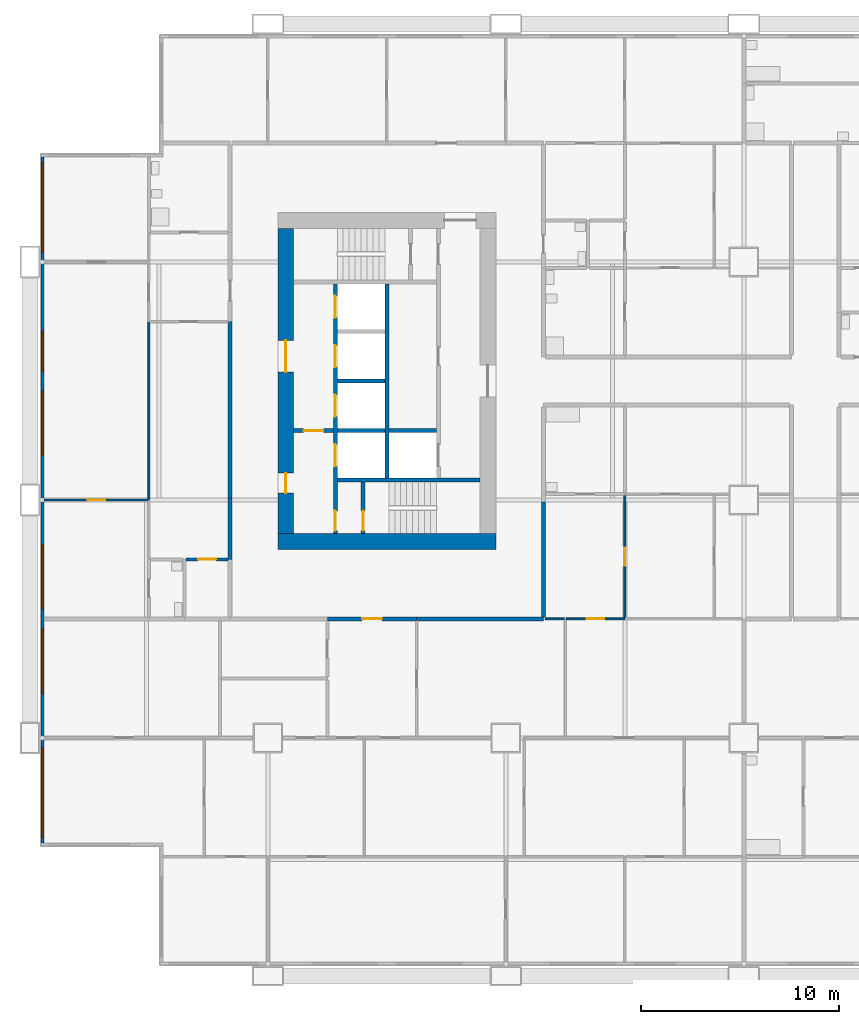
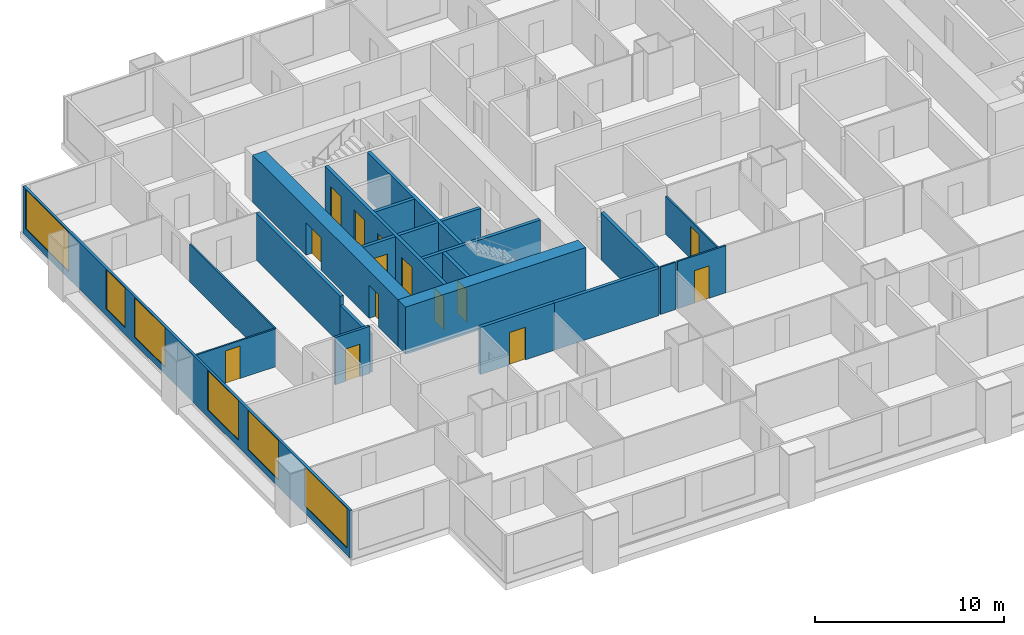
# One storey, part 3 of 13: 22 walls, 14 doors, 6 windows, 20 openings.
"""IFC4 building model written with IfcOpenShell, lengths in metres."""

from ifc_helpers import new_model, si_unit, direction, frame, frame_2d, origin, place, context, subcontext, project, spatial, rectangle, extrude, material, layer, layer_set, type_object, element, fill, save


model = new_model("IFC4")

# Units and contexts
model_context = context("Model", 3, precision=1e-05, world=origin(), true_north=direction((0.0, 1.0)))
body_context = subcontext(model_context, "Body", "Model", "MODEL_VIEW")
ifc_project = project(units=[si_unit("LENGTHUNIT", "METRE"), si_unit("AREAUNIT", "SQUARE_METRE"), si_unit("VOLUMEUNIT", "CUBIC_METRE"), si_unit("PLANEANGLEUNIT", "RADIAN"), si_unit("MASSUNIT", "GRAM", prefix="KILO")], contexts=[model_context])

# Site, building, storey
site_placement = place(None, origin())
site = spatial("IfcSite", under=ifc_project, at=site_placement, CompositionType="ELEMENT")
building_placement = place(site_placement, origin())
building = spatial("IfcBuilding", under=site, at=building_placement, Name="Kitamizu Gate Tower and Museum", CompositionType="ELEMENT")
storey_placement = place(building_placement, frame((0.0, 0.0, 88.64990234375)))
storey = spatial("IfcBuildingStorey", under=building, at=storey_placement, Name="L22", CompositionType="ELEMENT", Elevation=88.64990234375)

# Wall
ifc_material_1 = material(Name="Concrete Fc60", Category="concrete")
ifc_layer_1 = layer(ifc_material_1, 0.800048828125)
ifc_layer_set_1 = layer_set([ifc_layer_1], Name="Concrete Fc60")
wall_type_1 = type_object("IfcWallType", Name="Core wall 800", PredefinedType="SHEAR", material=ifc_layer_set_1)
wall_1_placement = place(storey_placement, frame((12.5, 21.89990234375, 0.0), z_axis=(0.0, 0.0, 1.0), x_axis=(1.0, 0.0, 0.0)))
element("IfcWall", 1, at=wall_1_placement, inside=storey, type_object=wall_type_1, Name="Core wall WS", PredefinedType="SHEAR", context=body_context, shape_type="SweptSolid", body=[
    extrude(rectangle(XDim=11.0, YDim=0.800048828125, at=frame_2d((5.5, 0.0))), origin(), (0.0, 0.0, 1.0), 3.050048828125),
])

# Wall, openings, doors
wall_2_placement = place(storey_placement, frame((12.89990234375, 22.300048828125, 0.0), z_axis=(0.0, 0.0, 1.0), x_axis=(0.0, 1.0, 0.0)))
wall_2 = element("IfcWall", 2, at=wall_2_placement, inside=storey, type_object=wall_type_1, Name="Core wall WOUT", PredefinedType="SHEAR", context=body_context, shape_type="SweptSolid", body=[
    extrude(rectangle(XDim=15.39990234375, YDim=0.800048828125, at=frame_2d((7.699951171875, 0.0))), origin(), (0.0, 0.0, 1.0), 3.050048828125),
])
opening_1_placement = place(wall_2_placement, frame((8.14990234375, 0.0, 0.0)))
opening_1 = element("IfcOpeningElement", 3, at=opening_1_placement, cuts=wall_2, Name="Opening L22-081", PredefinedType="OPENING", context=body_context, shape_type="SweptSolid", body=[
    extrude(rectangle(XDim=1.60009765625, YDim=2.10009765625, at=frame_2d((0.800048828125, 1.050048828125))), frame((0.0, 0.41015625, 0.0), z_axis=(0.0, -1.0, 0.0), x_axis=(1.0, 0.0, 0.0)), (0.0, 0.0, 1.0), 0.820068359375),
])
opening_2_placement = place(wall_2_placement, frame((2.050048828125, 0.0, 0.0)))
opening_2 = element("IfcOpeningElement", 4, at=opening_2_placement, cuts=wall_2, Name="Opening L22-082", PredefinedType="OPENING", context=body_context, shape_type="SweptSolid", body=[
    extrude(rectangle(XDim=1.0, YDim=2.10009765625, at=frame_2d((0.5, 1.050048828125))), frame((0.0, 0.41015625, 0.0), z_axis=(0.0, -1.0, 0.0), x_axis=(1.0, 0.0, 0.0)), (0.0, 0.0, 1.0), 0.820068359375),
])
ifc_material_2 = material(Name="Timber door set", Category="wood")
door_type_1 = type_object("IfcDoorType", Name="Entrance door 1600", OperationType="DOUBLE_DOOR_SINGLE_SWING", PredefinedType="DOOR", material=ifc_material_2)
door_1_placement = place(opening_1_placement, origin())
door_1 = element("IfcDoor", 5, at=door_1_placement, inside=storey, type_object=door_type_1, Name="Lobby door L22-081", OperationType="DOUBLE_DOOR_SINGLE_SWING", OverallHeight=2.10009765625, OverallWidth=1.60009765625, PredefinedType="DOOR", context=body_context, shape_type="SweptSolid", body=[
    extrude(rectangle(XDim=1.60009765625, YDim=2.10009765625, at=frame_2d((0.800048828125, 1.050048828125))), frame((0.0, 0.02490234375, 0.0), z_axis=(0.0, -1.0, 0.0), x_axis=(1.0, 0.0, 0.0)), (0.0, 0.0, 1.0), 0.050048828125),
])
fill(opening_1, door_1)
ifc_material_3 = material(Name="Hollow metal door set")
door_type_2 = type_object("IfcDoorType", Name="Fire door 1000", OperationType="NOTDEFINED", PredefinedType="DOOR", material=ifc_material_3)
door_2_placement = place(opening_2_placement, frame((1.0, 0.0, 0.0), x_axis=(-1.0, 0.0, 0.0)))
door_2 = element("IfcDoor", 6, at=door_2_placement, inside=storey, type_object=door_type_2, Name="Fire-fighting lobby door L22-082", OperationType="SINGLE_SWING_RIGHT", OverallHeight=2.10009765625, OverallWidth=1.0, PredefinedType="DOOR", context=body_context, shape_type="SweptSolid", body=[
    extrude(rectangle(XDim=1.0, YDim=2.10009765625, at=frame_2d((0.5, 1.050048828125))), frame((0.0, 0.02490234375, 0.0), z_axis=(0.0, -1.0, 0.0), x_axis=(1.0, 0.0, 0.0)), (0.0, 0.0, 1.0), 0.050048828125),
])
fill(opening_2, door_2)

# Wall
ifc_material_4 = material(Name="Gypsum board on galvanised stud")
ifc_layer_2 = layer(ifc_material_4, 0.10009765625)
ifc_layer_set_2 = layer_set([ifc_layer_2], Name="Gypsum board on galvanised stud")
wall_type_2 = type_object("IfcWallType", Name="Partition 100 NOT RATED", PredefinedType="PARTITIONING", material=ifc_layer_set_2)
wall_3_placement = place(storey_placement, frame((26.949951171875, 18.0, 0.0), z_axis=(0.0, 0.0, 1.0), x_axis=(-1.0, 0.0, 0.0)))
element("IfcWall", 7, at=wall_3_placement, inside=storey, type_object=wall_type_2, Name="Partition L22-041", PredefinedType="PARTITIONING", context=body_context, shape_type="SweptSolid", body=[
    extrude(rectangle(XDim=0.949951171875, YDim=0.10009765625, at=frame_2d((0.47509765625, 0.0))), origin(), (0.0, 0.0, 1.0), 3.050048828125),
])

# Wall, opening, door
wall_4_placement = place(storey_placement, frame((30.0, 18.0, 0.0), z_axis=(0.0, 0.0, 1.0), x_axis=(-1.0, 0.0, 0.0)))
wall_4 = element("IfcWall", 8, at=wall_4_placement, inside=storey, type_object=wall_type_2, Name="Partition L22-043", PredefinedType="PARTITIONING", context=body_context, shape_type="SweptSolid", body=[
    extrude(rectangle(XDim=2.949951171875, YDim=0.10009765625, at=frame_2d((1.47509765625, 0.0))), origin(), (0.0, 0.0, 1.0), 3.050048828125),
])
opening_3_placement = place(wall_4_placement, frame((1.02490234375, 0.0, 0.0)))
opening_3 = element("IfcOpeningElement", 9, at=opening_3_placement, cuts=wall_4, Name="Opening L22-016", PredefinedType="OPENING", context=body_context, shape_type="SweptSolid", body=[
    extrude(rectangle(XDim=0.89990234375, YDim=2.10009765625, at=frame_2d((0.449951171875, 1.050048828125))), frame((0.0, 0.06005859375, 0.0), z_axis=(0.0, -1.0, 0.0), x_axis=(1.0, 0.0, 0.0)), (0.0, 0.0, 1.0), 0.1201171875),
])
ifc_material_5 = material(Name="Timber door set", Category="wood")
door_type_3 = type_object("IfcDoorType", Name="Room door 900", OperationType="NOTDEFINED", PredefinedType="DOOR", material=ifc_material_5)
door_3_placement = place(opening_3_placement, frame((0.89990234375, 0.0, 0.0), x_axis=(-1.0, 0.0, 0.0)))
door_3 = element("IfcDoor", 10, at=door_3_placement, inside=storey, type_object=door_type_3, Name="Door L22-016", OperationType="SINGLE_SWING_LEFT", OverallHeight=2.10009765625, OverallWidth=0.89990234375, PredefinedType="DOOR", context=body_context, shape_type="SweptSolid", body=[
    extrude(rectangle(XDim=0.89990234375, YDim=2.10009765625, at=frame_2d((0.449951171875, 1.050048828125))), frame((0.0, 0.02490234375, 0.0), z_axis=(0.0, -1.0, 0.0), x_axis=(1.0, 0.0, 0.0)), (0.0, 0.0, 1.0), 0.050048828125),
])
fill(opening_3, door_3)

wall_5_placement = place(storey_placement, frame((30.0, 18.050048828125, 0.0), z_axis=(0.0, 0.0, 1.0), x_axis=(0.0, 1.0, 0.0)))
wall_5 = element("IfcWall", 11, at=wall_5_placement, inside=storey, type_object=wall_type_2, Name="Partition L22-047", PredefinedType="PARTITIONING", context=body_context, shape_type="SweptSolid", body=[
    extrude(rectangle(XDim=6.175048828125, YDim=0.10009765625, at=frame_2d((3.08740234375, 0.0))), origin(), (0.0, 0.0, 1.0), 2.4501953125),
])
opening_4_placement = place(wall_5_placement, frame((2.637451171875, 0.0, 0.0)))
opening_4 = element("IfcOpeningElement", 12, at=opening_4_placement, cuts=wall_5, Name="Opening L22-017", PredefinedType="OPENING", context=body_context, shape_type="SweptSolid", body=[
    extrude(rectangle(XDim=0.89990234375, YDim=2.10009765625, at=frame_2d((0.449951171875, 1.050048828125))), frame((0.0, 0.06005859375, 0.0), z_axis=(0.0, -1.0, 0.0), x_axis=(1.0, 0.0, 0.0)), (0.0, 0.0, 1.0), 0.1201171875),
])
door_4_placement = place(opening_4_placement, origin())
door_4 = element("IfcDoor", 13, at=door_4_placement, inside=storey, type_object=door_type_3, Name="Door L22-017", OperationType="SINGLE_SWING_LEFT", OverallHeight=2.10009765625, OverallWidth=0.89990234375, PredefinedType="DOOR", context=body_context, shape_type="SweptSolid", body=[
    extrude(rectangle(XDim=0.89990234375, YDim=2.10009765625, at=frame_2d((0.449951171875, 1.050048828125))), frame((0.0, 0.02490234375, 0.0), z_axis=(0.0, -1.0, 0.0), x_axis=(1.0, 0.0, 0.0)), (0.0, 0.0, 1.0), 0.050048828125),
])
fill(opening_4, door_4)

wall_6_placement = place(storey_placement, frame((6.0, 24.0, 0.0), z_axis=(0.0, 0.0, 1.0), x_axis=(-1.0, 0.0, 0.0)))
wall_6 = element("IfcWall", 14, at=wall_6_placement, inside=storey, type_object=wall_type_2, Name="Partition L22-063", PredefinedType="PARTITIONING", context=body_context, shape_type="SweptSolid", body=[
    extrude(rectangle(XDim=5.280029296875, YDim=0.10009765625, at=frame_2d((2.64013671875, 0.0))), origin(), (0.0, 0.0, 1.0), 2.4501953125),
])
opening_5_placement = place(wall_6_placement, frame((2.18994140625, 0.0, 0.0)))
opening_5 = element("IfcOpeningElement", 15, at=opening_5_placement, cuts=wall_6, Name="Opening L22-024", PredefinedType="OPENING", context=body_context, shape_type="SweptSolid", body=[
    extrude(rectangle(XDim=0.89990234375, YDim=2.10009765625, at=frame_2d((0.449951171875, 1.050048828125))), frame((0.0, 0.06005859375, 0.0), z_axis=(0.0, -1.0, 0.0), x_axis=(1.0, 0.0, 0.0)), (0.0, 0.0, 1.0), 0.1201171875),
])
door_5_placement = place(opening_5_placement, origin())
door_5 = element("IfcDoor", 16, at=door_5_placement, inside=storey, type_object=door_type_3, Name="Door L22-024", OperationType="SINGLE_SWING_RIGHT", OverallHeight=2.10009765625, OverallWidth=0.89990234375, PredefinedType="DOOR", context=body_context, shape_type="SweptSolid", body=[
    extrude(rectangle(XDim=0.89990234375, YDim=2.10009765625, at=frame_2d((0.449951171875, 1.050048828125))), frame((0.0, 0.02490234375, 0.0), z_axis=(0.0, -1.0, 0.0), x_axis=(1.0, 0.0, 0.0)), (0.0, 0.0, 1.0), 0.050048828125),
])
fill(opening_5, door_5)

# Wall
wall_7_placement = place(storey_placement, frame((6.0, 24.050048828125, 0.0), z_axis=(0.0, 0.0, 1.0), x_axis=(0.0, 1.0, 0.0)))
element("IfcWall", 17, at=wall_7_placement, inside=storey, type_object=wall_type_2, Name="Partition L22-067", PredefinedType="PARTITIONING", context=body_context, shape_type="SweptSolid", body=[
    extrude(rectangle(XDim=8.949951171875, YDim=0.10009765625, at=frame_2d((4.47509765625, 0.0))), origin(), (0.0, 0.0, 1.0), 2.4501953125),
])

# Wall, opening, door
ifc_material_6 = material(Name="Gypsum board on galvanised stud")
ifc_layer_3 = layer(ifc_material_6, 0.14990234375)
ifc_layer_set_3 = layer_set([ifc_layer_3], Name="Gypsum board on galvanised stud")
wall_type_3 = type_object("IfcWallType", Name="Partition 150", PredefinedType="PARTITIONING", material=ifc_layer_set_3)
wall_8_placement = place(storey_placement, frame((10.0, 21.0, 0.0), z_axis=(0.0, 0.0, 1.0), x_axis=(-1.0, 0.0, 0.0)))
wall_8 = element("IfcWall", 18, at=wall_8_placement, inside=storey, type_object=wall_type_3, Name="Partition L22-073", PredefinedType="PARTITIONING", context=body_context, shape_type="SweptSolid", body=[
    extrude(rectangle(XDim=2.125, YDim=0.14990234375, at=frame_2d((1.0625, 0.0))), origin(), (0.0, 0.0, 1.0), 3.050048828125),
])
opening_6_placement = place(wall_8_placement, frame((0.612548828125, 0.0, 0.0)))
opening_6 = element("IfcOpeningElement", 19, at=opening_6_placement, cuts=wall_8, Name="Opening L22-028", PredefinedType="OPENING", context=body_context, shape_type="SweptSolid", body=[
    extrude(rectangle(XDim=0.89990234375, YDim=2.10009765625, at=frame_2d((0.449951171875, 1.050048828125))), frame((0.0, 0.0849609375, 0.0), z_axis=(0.0, -1.0, 0.0), x_axis=(1.0, 0.0, 0.0)), (0.0, 0.0, 1.0), 0.169921875),
])
ifc_material_7 = material(Name="Timber door set", Category="wood")
door_type_4 = type_object("IfcDoorType", Name="Bathroom door 900", OperationType="NOTDEFINED", PredefinedType="DOOR", material=ifc_material_7)
door_6_placement = place(opening_6_placement, origin())
door_6 = element("IfcDoor", 20, at=door_6_placement, inside=storey, type_object=door_type_4, Name="Bathroom door L22-028", OperationType="SINGLE_SWING_RIGHT", OverallHeight=2.10009765625, OverallWidth=0.89990234375, PredefinedType="DOOR", context=body_context, shape_type="SweptSolid", body=[
    extrude(rectangle(XDim=0.89990234375, YDim=2.10009765625, at=frame_2d((0.449951171875, 1.050048828125))), frame((0.0, 0.02490234375, 0.0), z_axis=(0.0, -1.0, 0.0), x_axis=(1.0, 0.0, 0.0)), (0.0, 0.0, 1.0), 0.050048828125),
])
fill(opening_6, door_6)

ifc_material_8 = material(Name="Gypsum board on galvanised stud")
ifc_layer_4 = layer(ifc_material_8, 0.199951171875)
ifc_layer_set_4 = layer_set([ifc_layer_4], Name="Gypsum board on galvanised stud")
wall_type_4 = type_object("IfcWallType", Name="Partition 200", PredefinedType="PARTITIONING", material=ifc_layer_set_4)
wall_9_placement = place(storey_placement, frame((19.5, 18.0, 0.0), z_axis=(0.0, 0.0, 1.0), x_axis=(-1.0, 0.0, 0.0)))
wall_9 = element("IfcWall", 21, at=wall_9_placement, inside=storey, type_object=wall_type_4, Name="Partition L22-039", PredefinedType="PARTITIONING", context=body_context, shape_type="SweptSolid", body=[
    extrude(rectangle(XDim=4.5, YDim=0.199951171875, at=frame_2d((2.25, 0.0))), origin(), (0.0, 0.0, 1.0), 3.050048828125),
])
opening_7_placement = place(wall_9_placement, frame((1.75, 0.0, 0.0)))
opening_7 = element("IfcOpeningElement", 22, at=opening_7_placement, cuts=wall_9, Name="Opening L22-001", PredefinedType="OPENING", context=body_context, shape_type="SweptSolid", body=[
    extrude(rectangle(XDim=1.0, YDim=2.10009765625, at=frame_2d((0.5, 1.050048828125))), frame((0.0, 0.10986328125, 0.0), z_axis=(0.0, -1.0, 0.0), x_axis=(1.0, 0.0, 0.0)), (0.0, 0.0, 1.0), 0.219970703125),
])
ifc_material_9 = material(Name="Timber door set", Category="wood")
door_type_5 = type_object("IfcDoorType", Name="Flat entrance door 1000", OperationType="NOTDEFINED", PredefinedType="DOOR", material=ifc_material_9)
door_7_placement = place(opening_7_placement, origin())
door_7 = element("IfcDoor", 23, at=door_7_placement, inside=storey, type_object=door_type_5, Name="Flat entrance door L22-001", OperationType="SINGLE_SWING_RIGHT", OverallHeight=2.10009765625, OverallWidth=1.0, PredefinedType="DOOR", context=body_context, shape_type="SweptSolid", body=[
    extrude(rectangle(XDim=1.0, YDim=2.10009765625, at=frame_2d((0.5, 1.050048828125))), frame((0.0, 0.02490234375, 0.0), z_axis=(0.0, -1.0, 0.0), x_axis=(1.0, 0.0, 0.0)), (0.0, 0.0, 1.0), 0.050048828125),
])
fill(opening_7, door_7)

# Walls
wall_10_placement = place(storey_placement, frame((25.89990234375, 18.0, 0.0), z_axis=(0.0, 0.0, 1.0), x_axis=(-1.0, 0.0, 0.0)))
element("IfcWall", 24, at=wall_10_placement, inside=storey, type_object=wall_type_4, Name="Partition L22-042", PredefinedType="PARTITIONING", context=body_context, shape_type="SweptSolid", body=[
    extrude(rectangle(XDim=6.39990234375, YDim=0.199951171875, at=frame_2d((3.199951171875, 0.0))), origin(), (0.0, 0.0, 1.0), 3.050048828125),
])
wall_11_placement = place(storey_placement, frame((25.89990234375, 23.89990234375, 0.0), z_axis=(0.0, 0.0, 1.0), x_axis=(0.0, -1.0, 0.0)))
element("IfcWall", 25, at=wall_11_placement, inside=storey, type_object=wall_type_4, Name="Partition L22-050", PredefinedType="PARTITIONING", context=body_context, shape_type="SweptSolid", body=[
    extrude(rectangle(XDim=5.7998046875, YDim=0.199951171875, at=frame_2d((2.89990234375, 0.0))), origin(), (0.0, 0.0, 1.0), 3.050048828125),
])
wall_12_placement = place(storey_placement, frame((10.10009765625, 21.0, 0.0), z_axis=(0.0, 0.0, 1.0), x_axis=(0.0, 1.0, 0.0)))
element("IfcWall", 26, at=wall_12_placement, inside=storey, type_object=wall_type_4, Name="Partition L22-076", PredefinedType="PARTITIONING", context=body_context, shape_type="SweptSolid", body=[
    extrude(rectangle(XDim=3.10009765625, YDim=0.199951171875, at=frame_2d((1.550048828125, 0.0))), origin(), (0.0, 0.0, 1.0), 2.4501953125),
])
wall_13_placement = place(storey_placement, frame((10.10009765625, 24.10009765625, 0.0), z_axis=(0.0, 0.0, 1.0), x_axis=(0.0, 1.0, 0.0)))
element("IfcWall", 27, at=wall_13_placement, inside=storey, type_object=wall_type_4, Name="Partition L22-077", PredefinedType="PARTITIONING", context=body_context, shape_type="SweptSolid", body=[
    extrude(rectangle(XDim=8.89990234375, YDim=0.199951171875, at=frame_2d((4.449951171875, 0.0))), origin(), (0.0, 0.0, 1.0), 3.050048828125),
])

# Wall, openings, doors
ifc_material_10 = material(Name="Concrete Fc42", Category="concrete")
ifc_layer_5 = layer(ifc_material_10, 0.199951171875)
ifc_layer_set_5 = layer_set([ifc_layer_5], Name="Concrete Fc42")
wall_type_5 = type_object("IfcWallType", Name="Shaft wall 200", PredefinedType="SOLIDWALL", material=ifc_layer_set_5)
wall_14_placement = place(storey_placement, frame((15.39990234375, 22.300048828125, 0.0), z_axis=(0.0, 0.0, 1.0), x_axis=(0.0, 1.0, 0.0)))
wall_14 = element("IfcWall", 28, at=wall_14_placement, inside=storey, type_object=wall_type_5, Name="Shaft wall WWEST", PredefinedType="SOLIDWALL", context=body_context, shape_type="SweptSolid", body=[
    extrude(rectangle(XDim=12.599853515625, YDim=0.199951171875, at=frame_2d((6.2998046875, 0.0))), origin(), (0.0, 0.0, 1.0), 3.050048828125),
])
opening_8_placement = place(wall_14_placement, frame((3.39990234375, 0.0, 0.0)))
opening_8 = element("IfcOpeningElement", 29, at=opening_8_placement, cuts=wall_14, Name="Opening LD", PredefinedType="OPENING", context=body_context, shape_type="SweptSolid", body=[
    extrude(rectangle(XDim=1.10009765625, YDim=2.10009765625, at=frame_2d((0.550048828125, 1.050048828125))), frame((0.0, 0.10986328125, 0.0), z_axis=(0.0, -1.0, 0.0), x_axis=(1.0, 0.0, 0.0)), (0.0, 0.0, 1.0), 0.219970703125),
])
opening_9_placement = place(wall_14_placement, frame((5.89990234375, 0.0, 0.0)))
opening_9 = element("IfcOpeningElement", 30, at=opening_9_placement, cuts=wall_14, Name="Opening LD", PredefinedType="OPENING", context=body_context, shape_type="SweptSolid", body=[
    extrude(rectangle(XDim=1.10009765625, YDim=2.10009765625, at=frame_2d((0.550048828125, 1.050048828125))), frame((0.0, 0.10986328125, 0.0), z_axis=(0.0, -1.0, 0.0), x_axis=(1.0, 0.0, 0.0)), (0.0, 0.0, 1.0), 0.219970703125),
])
opening_10_placement = place(wall_14_placement, frame((8.39990234375, 0.0, 0.0)))
opening_10 = element("IfcOpeningElement", 31, at=opening_10_placement, cuts=wall_14, Name="Opening LD", PredefinedType="OPENING", context=body_context, shape_type="SweptSolid", body=[
    extrude(rectangle(XDim=1.10009765625, YDim=2.10009765625, at=frame_2d((0.550048828125, 1.050048828125))), frame((0.0, 0.10986328125, 0.0), z_axis=(0.0, -1.0, 0.0), x_axis=(1.0, 0.0, 0.0)), (0.0, 0.0, 1.0), 0.219970703125),
])
opening_11_placement = place(wall_14_placement, frame((10.89990234375, 0.0, 0.0)))
opening_11 = element("IfcOpeningElement", 32, at=opening_11_placement, cuts=wall_14, Name="Opening LD", PredefinedType="OPENING", context=body_context, shape_type="SweptSolid", body=[
    extrude(rectangle(XDim=1.10009765625, YDim=2.10009765625, at=frame_2d((0.550048828125, 1.050048828125))), frame((0.0, 0.10986328125, 0.0), z_axis=(0.0, -1.0, 0.0), x_axis=(1.0, 0.0, 0.0)), (0.0, 0.0, 1.0), 0.219970703125),
])
opening_12_placement = place(wall_14_placement, frame((0.14990234375, 0.0, 0.0)))
opening_12 = element("IfcOpeningElement", 33, at=opening_12_placement, cuts=wall_14, Name="Opening L22-077", PredefinedType="OPENING", context=body_context, shape_type="SweptSolid", body=[
    extrude(rectangle(XDim=1.0, YDim=2.10009765625, at=frame_2d((0.5, 1.050048828125))), frame((0.0, 0.10986328125, 0.0), z_axis=(0.0, -1.0, 0.0), x_axis=(1.0, 0.0, 0.0)), (0.0, 0.0, 1.0), 0.219970703125),
])
door_8_placement = place(opening_12_placement, frame((1.0, 0.0, 0.0), x_axis=(-1.0, 0.0, 0.0)))
door_8 = element("IfcDoor", 34, at=door_8_placement, inside=storey, type_object=door_type_2, Name="Stair lobby door L22-077", OperationType="SINGLE_SWING_LEFT", OverallHeight=2.10009765625, OverallWidth=1.0, PredefinedType="DOOR", context=body_context, shape_type="SweptSolid", body=[
    extrude(rectangle(XDim=1.0, YDim=2.10009765625, at=frame_2d((0.5, 1.050048828125))), frame((0.0, 0.02490234375, 0.0), z_axis=(0.0, -1.0, 0.0), x_axis=(1.0, 0.0, 0.0)), (0.0, 0.0, 1.0), 0.050048828125),
])
fill(opening_12, door_8)
ifc_material_11 = material(Name="Hollow metal door set")
door_type_6 = type_object("IfcDoorType", Name="Landing door 1100", OperationType="SLIDING_TO_LEFT", PredefinedType="DOOR", material=ifc_material_11)
door_9_placement = place(opening_8_placement, origin())
door_9 = element("IfcDoor", 35, at=door_9_placement, inside=storey, type_object=door_type_6, Name="Landing door WFF1", OperationType="SLIDING_TO_LEFT", OverallHeight=2.10009765625, OverallWidth=1.10009765625, PredefinedType="DOOR", context=body_context, shape_type="SweptSolid", body=[
    extrude(rectangle(XDim=1.10009765625, YDim=2.10009765625, at=frame_2d((0.550048828125, 1.050048828125))), frame((0.0, 0.02490234375, 0.0), z_axis=(0.0, -1.0, 0.0), x_axis=(1.0, 0.0, 0.0)), (0.0, 0.0, 1.0), 0.050048828125),
])
fill(opening_8, door_9)
door_10_placement = place(opening_9_placement, origin())
door_10 = element("IfcDoor", 36, at=door_10_placement, inside=storey, type_object=door_type_6, Name="Landing door WL1", OperationType="SLIDING_TO_LEFT", OverallHeight=2.10009765625, OverallWidth=1.10009765625, PredefinedType="DOOR", context=body_context, shape_type="SweptSolid", body=[
    extrude(rectangle(XDim=1.10009765625, YDim=2.10009765625, at=frame_2d((0.550048828125, 1.050048828125))), frame((0.0, 0.02490234375, 0.0), z_axis=(0.0, -1.0, 0.0), x_axis=(1.0, 0.0, 0.0)), (0.0, 0.0, 1.0), 0.050048828125),
])
fill(opening_9, door_10)
door_11_placement = place(opening_10_placement, origin())
door_11 = element("IfcDoor", 37, at=door_11_placement, inside=storey, type_object=door_type_6, Name="Landing door WL2", OperationType="SLIDING_TO_LEFT", OverallHeight=2.10009765625, OverallWidth=1.10009765625, PredefinedType="DOOR", context=body_context, shape_type="SweptSolid", body=[
    extrude(rectangle(XDim=1.10009765625, YDim=2.10009765625, at=frame_2d((0.550048828125, 1.050048828125))), frame((0.0, 0.02490234375, 0.0), z_axis=(0.0, -1.0, 0.0), x_axis=(1.0, 0.0, 0.0)), (0.0, 0.0, 1.0), 0.050048828125),
])
fill(opening_10, door_11)
door_12_placement = place(opening_11_placement, origin())
door_12 = element("IfcDoor", 38, at=door_12_placement, inside=storey, type_object=door_type_6, Name="Landing door WL3", OperationType="SLIDING_TO_LEFT", OverallHeight=2.10009765625, OverallWidth=1.10009765625, PredefinedType="DOOR", context=body_context, shape_type="SweptSolid", body=[
    extrude(rectangle(XDim=1.10009765625, YDim=2.10009765625, at=frame_2d((0.550048828125, 1.050048828125))), frame((0.0, 0.02490234375, 0.0), z_axis=(0.0, -1.0, 0.0), x_axis=(1.0, 0.0, 0.0)), (0.0, 0.0, 1.0), 0.050048828125),
])
fill(opening_11, door_12)

# Walls
wall_15_placement = place(storey_placement, frame((18.0, 25.10009765625, 0.0), z_axis=(0.0, 0.0, 1.0), x_axis=(0.0, 1.0, 0.0)))
element("IfcWall", 39, at=wall_15_placement, inside=storey, type_object=wall_type_5, Name="Shaft wall WMID", PredefinedType="SOLIDWALL", context=body_context, shape_type="SweptSolid", body=[
    extrude(rectangle(XDim=9.7998046875, YDim=0.199951171875, at=frame_2d((4.89990234375, 0.0))), origin(), (0.0, 0.0, 1.0), 3.050048828125),
])
wall_16_placement = place(storey_placement, frame((15.5, 25.0, 0.0), z_axis=(0.0, 0.0, 1.0), x_axis=(1.0, 0.0, 0.0)))
element("IfcWall", 40, at=wall_16_placement, inside=storey, type_object=wall_type_5, Name="Shaft wall WSB", PredefinedType="SOLIDWALL", context=body_context, shape_type="SweptSolid", body=[
    extrude(rectangle(XDim=7.199951171875, YDim=0.199951171875, at=frame_2d((3.60009765625, 0.0))), origin(), (0.0, 0.0, 1.0), 3.050048828125),
])

# Wall, opening, door
wall_17_placement = place(storey_placement, frame((13.300048828125, 27.5, 0.0), z_axis=(0.0, 0.0, 1.0), x_axis=(1.0, 0.0, 0.0)))
wall_17 = element("IfcWall", 41, at=wall_17_placement, inside=storey, type_object=wall_type_5, Name="Shaft wall WFFN", PredefinedType="SOLIDWALL", context=body_context, shape_type="SweptSolid", body=[
    extrude(rectangle(XDim=2.0, YDim=0.199951171875, at=frame_2d((1.0, 0.0))), origin(), (0.0, 0.0, 1.0), 3.050048828125),
])
opening_13_placement = place(wall_17_placement, frame((0.5, 0.0, 0.0)))
opening_13 = element("IfcOpeningElement", 42, at=opening_13_placement, cuts=wall_17, Name="Opening L22-080", PredefinedType="OPENING", context=body_context, shape_type="SweptSolid", body=[
    extrude(rectangle(XDim=1.0, YDim=2.10009765625, at=frame_2d((0.5, 1.050048828125))), frame((0.0, 0.10986328125, 0.0), z_axis=(0.0, -1.0, 0.0), x_axis=(1.0, 0.0, 0.0)), (0.0, 0.0, 1.0), 0.219970703125),
])
door_13_placement = place(opening_13_placement, frame((1.0, 0.0, 0.0), x_axis=(-1.0, 0.0, 0.0)))
door_13 = element("IfcDoor", 43, at=door_13_placement, inside=storey, type_object=door_type_2, Name="Fire-fighting lobby door L22-080", OperationType="SINGLE_SWING_LEFT", OverallHeight=2.10009765625, OverallWidth=1.0, PredefinedType="DOOR", context=body_context, shape_type="SweptSolid", body=[
    extrude(rectangle(XDim=1.0, YDim=2.10009765625, at=frame_2d((0.5, 1.050048828125))), frame((0.0, 0.02490234375, 0.0), z_axis=(0.0, -1.0, 0.0), x_axis=(1.0, 0.0, 0.0)), (0.0, 0.0, 1.0), 0.050048828125),
])
fill(opening_13, door_13)

wall_18_placement = place(storey_placement, frame((16.800048828125, 22.300048828125, 0.0), z_axis=(0.0, 0.0, 1.0), x_axis=(0.0, 1.0, 0.0)))
wall_18 = element("IfcWall", 44, at=wall_18_placement, inside=storey, type_object=wall_type_5, Name="Shaft wall WSZ", PredefinedType="SOLIDWALL", context=body_context, shape_type="SweptSolid", body=[
    extrude(rectangle(XDim=2.599853515625, YDim=0.199951171875, at=frame_2d((1.2998046875, 0.0))), origin(), (0.0, 0.0, 1.0), 3.050048828125),
])
opening_14_placement = place(wall_18_placement, frame((0.14990234375, 0.0, 0.0)))
opening_14 = element("IfcOpeningElement", 45, at=opening_14_placement, cuts=wall_18, Name="Opening L22-076", PredefinedType="OPENING", context=body_context, shape_type="SweptSolid", body=[
    extrude(rectangle(XDim=1.0, YDim=2.10009765625, at=frame_2d((0.5, 1.050048828125))), frame((0.0, 0.10986328125, 0.0), z_axis=(0.0, -1.0, 0.0), x_axis=(1.0, 0.0, 0.0)), (0.0, 0.0, 1.0), 0.219970703125),
])
door_14_placement = place(opening_14_placement, frame((1.0, 0.0, 0.0), x_axis=(-1.0, 0.0, 0.0)))
door_14 = element("IfcDoor", 46, at=door_14_placement, inside=storey, type_object=door_type_2, Name="Stair door L22-076", OperationType="SINGLE_SWING_LEFT", OverallHeight=2.10009765625, OverallWidth=1.0, PredefinedType="DOOR", context=body_context, shape_type="SweptSolid", body=[
    extrude(rectangle(XDim=1.0, YDim=2.10009765625, at=frame_2d((0.5, 1.050048828125))), frame((0.0, 0.02490234375, 0.0), z_axis=(0.0, -1.0, 0.0), x_axis=(1.0, 0.0, 0.0)), (0.0, 0.0, 1.0), 0.050048828125),
])
fill(opening_14, door_14)

# Walls
for number, where, z_axis, x_axis, name in (
    (47, (15.5, 27.5, 0.0), (0.0, 0.0, 1.0), (1.0, 0.0, 0.0), "Shaft wall WDVW0"),
    (48, (15.5, 30.0, 0.0), (0.0, 0.0, 1.0), (1.0, 0.0, 0.0), "Shaft wall WDVW1"),
    (49, (18.10009765625, 27.5, 0.0), (0.0, 0.0, 1.0), (1.0, 0.0, 0.0), "Shaft wall WDVE0"),
):
    element("IfcWall", number, at=place(storey_placement, frame(where, z_axis=z_axis, x_axis=x_axis)), inside=storey, type_object=wall_type_5, Name=name, PredefinedType="SOLIDWALL", context=body_context, shape_type="SweptSolid", body=[
        extrude(rectangle(XDim=2.39990234375, YDim=0.199951171875, at=frame_2d((1.199951171875, 0.0))), origin(), (0.0, 0.0, 1.0), 3.050048828125),
    ])

# Wall, openings, windows
ifc_material_12 = material(Name="Bronze anodised aluminium frame with insulated spandrel and tinted glass", Category="aluminium")
ifc_layer_6 = layer(ifc_material_12, 0.14990234375)
ifc_layer_set_6 = layer_set([ifc_layer_6], Name="Bronze anodised aluminium frame with insulated spandrel and tinted glass")
wall_type_6 = type_object("IfcWallType", Name="WINDOW WALL 150 BRONZE FRAME EI 30", PredefinedType="ELEMENTEDWALL", material=ifc_layer_set_6)
wall_19_placement = place(storey_placement, frame((0.635009765625, 6.7099609375, 0.0), z_axis=(0.0, 0.0, 1.0), x_axis=(0.0, 1.0, 0.0)))
wall_19 = element("IfcWall", 50, at=wall_19_placement, inside=storey, type_object=wall_type_6, Name="Window wall west L22", PredefinedType="ELEMENTEDWALL", context=body_context, shape_type="SweptSolid", body=[
    extrude(rectangle(XDim=34.580078125, YDim=0.14990234375, at=frame_2d((17.2900390625, 0.0))), origin(), (0.0, 0.0, 1.0), 3.050048828125),
])
opening_15_placement = place(wall_19_placement, frame((0.2900390625, 0.0, 0.449951171875)))
opening_15 = element("IfcOpeningElement", 51, at=opening_15_placement, cuts=wall_19, Name="Opening W15", PredefinedType="OPENING", context=body_context, shape_type="SweptSolid", body=[
    extrude(rectangle(XDim=4.5, YDim=2.550048828125, at=frame_2d((2.25, 1.27490234375))), frame((0.0, 0.0849609375, 0.0), z_axis=(0.0, -1.0, 0.0), x_axis=(1.0, 0.0, 0.0)), (0.0, 0.0, 1.0), 0.169921875),
])
opening_16_placement = place(wall_19_placement, frame((7.5400390625, 0.0, 0.449951171875)))
opening_16 = element("IfcOpeningElement", 52, at=opening_16_placement, cuts=wall_19, Name="Opening W34", PredefinedType="OPENING", context=body_context, shape_type="SweptSolid", body=[
    extrude(rectangle(XDim=3.25, YDim=2.550048828125, at=frame_2d((1.625, 1.27490234375))), frame((0.0, 0.0849609375, 0.0), z_axis=(0.0, -1.0, 0.0), x_axis=(1.0, 0.0, 0.0)), (0.0, 0.0, 1.0), 0.169921875),
])
opening_17_placement = place(wall_19_placement, frame((11.7900390625, 0.0, 0.449951171875)))
opening_17 = element("IfcOpeningElement", 53, at=opening_17_placement, cuts=wall_19, Name="Opening W34", PredefinedType="OPENING", context=body_context, shape_type="SweptSolid", body=[
    extrude(rectangle(XDim=3.25, YDim=2.550048828125, at=frame_2d((1.625, 1.27490234375))), frame((0.0, 0.0849609375, 0.0), z_axis=(0.0, -1.0, 0.0), x_axis=(1.0, 0.0, 0.0)), (0.0, 0.0, 1.0), 0.169921875),
])
opening_18_placement = place(wall_19_placement, frame((19.5400390625, 0.0, 0.449951171875)))
opening_18 = element("IfcOpeningElement", 54, at=opening_18_placement, cuts=wall_19, Name="Opening W34", PredefinedType="OPENING", context=body_context, shape_type="SweptSolid", body=[
    extrude(rectangle(XDim=3.25, YDim=2.550048828125, at=frame_2d((1.625, 1.27490234375))), frame((0.0, 0.0849609375, 0.0), z_axis=(0.0, -1.0, 0.0), x_axis=(1.0, 0.0, 0.0)), (0.0, 0.0, 1.0), 0.169921875),
])
opening_19_placement = place(wall_19_placement, frame((23.7900390625, 0.0, 0.449951171875)))
opening_19 = element("IfcOpeningElement", 55, at=opening_19_placement, cuts=wall_19, Name="Opening W2", PredefinedType="OPENING", context=body_context, shape_type="SweptSolid", body=[
    extrude(rectangle(XDim=2.0, YDim=2.550048828125, at=frame_2d((1.0, 1.27490234375))), frame((0.0, 0.0849609375, 0.0), z_axis=(0.0, -1.0, 0.0), x_axis=(1.0, 0.0, 0.0)), (0.0, 0.0, 1.0), 0.169921875),
])
opening_20_placement = place(wall_19_placement, frame((29.7900390625, 0.0, 0.449951171875)))
opening_20 = element("IfcOpeningElement", 56, at=opening_20_placement, cuts=wall_19, Name="Opening W15", PredefinedType="OPENING", context=body_context, shape_type="SweptSolid", body=[
    extrude(rectangle(XDim=4.5, YDim=2.550048828125, at=frame_2d((2.25, 1.27490234375))), frame((0.0, 0.0849609375, 0.0), z_axis=(0.0, -1.0, 0.0), x_axis=(1.0, 0.0, 0.0)), (0.0, 0.0, 1.0), 0.169921875),
])
ifc_material_13 = material(Name="Bronze anodised aluminium frame, tinted triple glazing", Category="aluminium")
window_type_1 = type_object("IfcWindowType", Name="WINDOW 2000 x 2550 SILL 450", PartitioningType="SINGLE_PANEL", PredefinedType="WINDOW", material=ifc_material_13)
window_1_placement = place(opening_19_placement, origin())
window_1 = element("IfcWindow", 57, at=window_1_placement, inside=storey, type_object=window_type_1, Name="Window W2 L22", OverallHeight=2.550048828125, OverallWidth=2.0, PartitioningType="SINGLE_PANEL", PredefinedType="WINDOW", context=body_context, shape_type="SweptSolid", body=[
    extrude(rectangle(XDim=2.0, YDim=2.550048828125, at=frame_2d((1.0, 1.27490234375))), frame((0.0, 0.030029296875, 0.0), z_axis=(0.0, -1.0, 0.0), x_axis=(1.0, 0.0, 0.0)), (0.0, 0.0, 1.0), 0.06005859375),
])
fill(opening_19, window_1)
ifc_material_14 = material(Name="Bronze anodised aluminium frame, tinted triple glazing", Category="aluminium")
window_type_2 = type_object("IfcWindowType", Name="WINDOW 3250 x 2550 SILL 450", PartitioningType="SINGLE_PANEL", PredefinedType="WINDOW", material=ifc_material_14)
window_2_placement = place(opening_16_placement, origin())
window_2 = element("IfcWindow", 58, at=window_2_placement, inside=storey, type_object=window_type_2, Name="Window W34 L22", OverallHeight=2.550048828125, OverallWidth=3.25, PartitioningType="SINGLE_PANEL", PredefinedType="WINDOW", context=body_context, shape_type="SweptSolid", body=[
    extrude(rectangle(XDim=3.25, YDim=2.550048828125, at=frame_2d((1.625, 1.27490234375))), frame((0.0, 0.030029296875, 0.0), z_axis=(0.0, -1.0, 0.0), x_axis=(1.0, 0.0, 0.0)), (0.0, 0.0, 1.0), 0.06005859375),
])
fill(opening_16, window_2)
window_3_placement = place(opening_17_placement, origin())
window_3 = element("IfcWindow", 59, at=window_3_placement, inside=storey, type_object=window_type_2, Name="Window W34 L22", OverallHeight=2.550048828125, OverallWidth=3.25, PartitioningType="SINGLE_PANEL", PredefinedType="WINDOW", context=body_context, shape_type="SweptSolid", body=[
    extrude(rectangle(XDim=3.25, YDim=2.550048828125, at=frame_2d((1.625, 1.27490234375))), frame((0.0, 0.030029296875, 0.0), z_axis=(0.0, -1.0, 0.0), x_axis=(1.0, 0.0, 0.0)), (0.0, 0.0, 1.0), 0.06005859375),
])
fill(opening_17, window_3)
window_4_placement = place(opening_18_placement, origin())
window_4 = element("IfcWindow", 60, at=window_4_placement, inside=storey, type_object=window_type_2, Name="Window W34 L22", OverallHeight=2.550048828125, OverallWidth=3.25, PartitioningType="SINGLE_PANEL", PredefinedType="WINDOW", context=body_context, shape_type="SweptSolid", body=[
    extrude(rectangle(XDim=3.25, YDim=2.550048828125, at=frame_2d((1.625, 1.27490234375))), frame((0.0, 0.030029296875, 0.0), z_axis=(0.0, -1.0, 0.0), x_axis=(1.0, 0.0, 0.0)), (0.0, 0.0, 1.0), 0.06005859375),
])
fill(opening_18, window_4)
ifc_material_15 = material(Name="Bronze anodised aluminium frame, tinted triple glazing", Category="aluminium")
window_type_3 = type_object("IfcWindowType", Name="WINDOW 4500 x 2550 SILL 450", PartitioningType="SINGLE_PANEL", PredefinedType="WINDOW", material=ifc_material_15)
window_5_placement = place(opening_15_placement, origin())
window_5 = element("IfcWindow", 61, at=window_5_placement, inside=storey, type_object=window_type_3, Name="Window W15 L22", OverallHeight=2.550048828125, OverallWidth=4.5, PartitioningType="SINGLE_PANEL", PredefinedType="WINDOW", context=body_context, shape_type="SweptSolid", body=[
    extrude(rectangle(XDim=4.5, YDim=2.550048828125, at=frame_2d((2.25, 1.27490234375))), frame((0.0, 0.030029296875, 0.0), z_axis=(0.0, -1.0, 0.0), x_axis=(1.0, 0.0, 0.0)), (0.0, 0.0, 1.0), 0.06005859375),
])
fill(opening_15, window_5)
window_6_placement = place(opening_20_placement, origin())
window_6 = element("IfcWindow", 62, at=window_6_placement, inside=storey, type_object=window_type_3, Name="Window W15 L22", OverallHeight=2.550048828125, OverallWidth=4.5, PartitioningType="SINGLE_PANEL", PredefinedType="WINDOW", context=body_context, shape_type="SweptSolid", body=[
    extrude(rectangle(XDim=4.5, YDim=2.550048828125, at=frame_2d((2.25, 1.27490234375))), frame((0.0, 0.030029296875, 0.0), z_axis=(0.0, -1.0, 0.0), x_axis=(1.0, 0.0, 0.0)), (0.0, 0.0, 1.0), 0.06005859375),
])
fill(opening_20, window_6)

save(model, "model.ifc")
